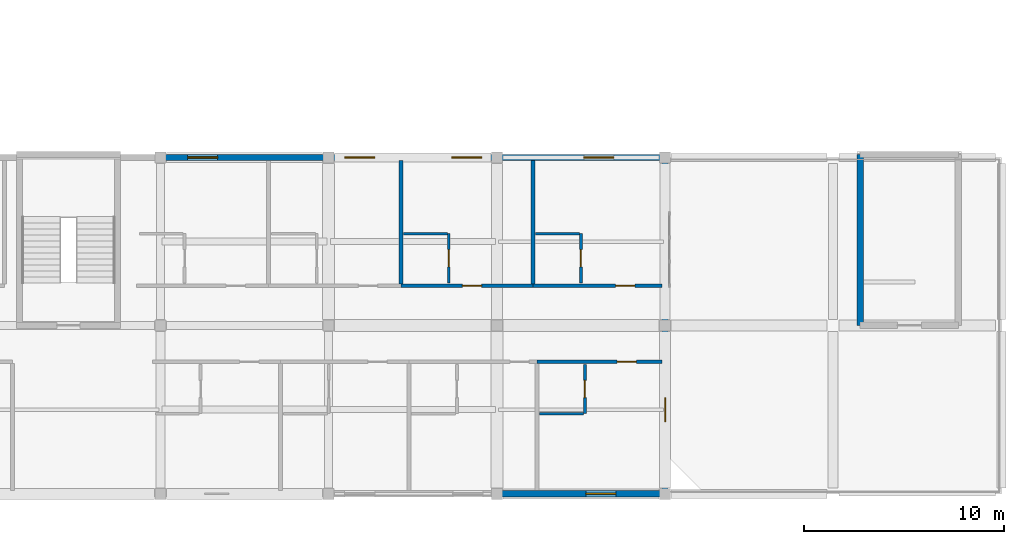
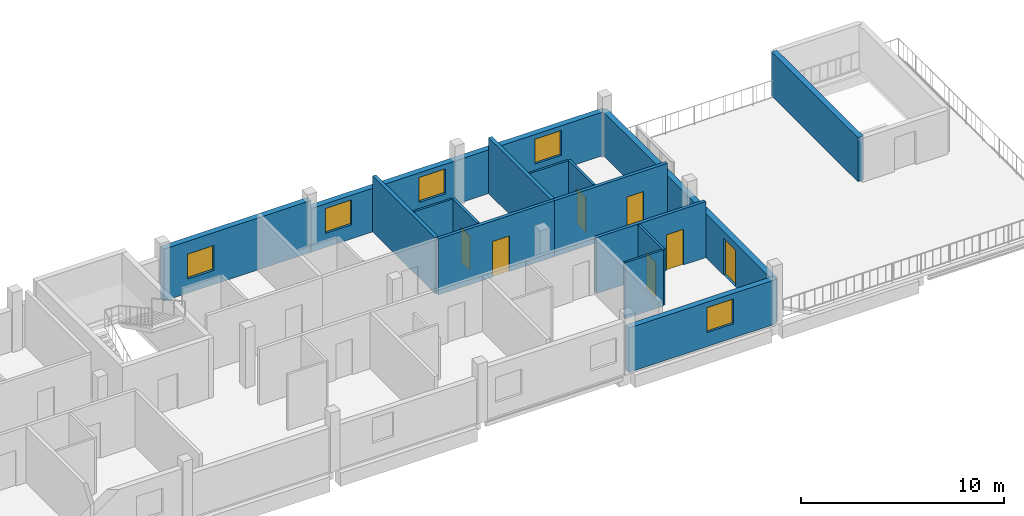
# One storey, part 20 of 26: 16 walls, 7 doors, 5 windows, 12 openings.
"""IFC4 building model written with IfcOpenShell, lengths in metres."""

from ifc_helpers import new_model, si_unit, derived_unit, direction, frame, frame_2d, origin, place, context, subcontext, project, spatial, rectangle, extrude, material, layer, layer_set, type_object, element, fill, save


model = new_model("IFC4")

# Units and contexts
model_context = context("Model", 3, precision=1e-05, world=origin(), true_north=direction((0.0, 1.0)))
body_context = subcontext(model_context, "Body", "Model", "MODEL_VIEW")
ifc_project = project(units=[si_unit("LENGTHUNIT", "METRE"), si_unit("AREAUNIT", "SQUARE_METRE"), si_unit("VOLUMEUNIT", "CUBIC_METRE"), si_unit("PLANEANGLEUNIT", "RADIAN"), si_unit("MASSUNIT", "GRAM", prefix="KILO"), derived_unit("THERMALTRANSMITTANCEUNIT", [(si_unit("POWERUNIT", "WATT"), 1), (si_unit("LENGTHUNIT", "METRE"), -2), (si_unit("THERMODYNAMICTEMPERATUREUNIT", "KELVIN"), -1)])], contexts=[model_context])

# Site, building, storey
site_placement = place(None, origin())
site = spatial("IfcSite", under=ifc_project, at=site_placement, CompositionType="ELEMENT")
building_placement = place(site_placement, origin())
building = spatial("IfcBuilding", under=site, at=building_placement, Name="Barrovel Congress Hotel", CompositionType="ELEMENT")
storey_placement = place(building_placement, frame((0.0, 0.0, 32.699951171875)))
storey = spatial("IfcBuildingStorey", under=building, at=storey_placement, Name="L08", CompositionType="ELEMENT", Elevation=32.699951171875)

# Wall, opening, door
ifc_material_1 = material(Name="Fired Clay Brick Masonry", Category="masonry")
ifc_layer_1 = layer(ifc_material_1, 0.320068359375)
ifc_layer_set_1 = layer_set([ifc_layer_1], Name="Fired Clay Brick Masonry")
wall_type_1 = type_object("IfcWallType", Name="EW-BRK320", PredefinedType="STANDARD", material=ifc_layer_set_1)
wall_1_placement = place(storey_placement, frame((134.39990234375, 4.199951171875, 0.0), z_axis=(0.0, 0.0, 1.0), x_axis=(0.0, 1.0, 0.0)))
wall_1 = element("IfcWall", 1, at=wall_1_placement, inside=storey, type_object=wall_type_1, Name="EW:L08:HS-E", PredefinedType="STANDARD", context=body_context, shape_type="SweptSolid", body=[
    extrude(rectangle(XDim=16.800048828125, YDim=0.320068359375, at=frame_2d((8.39990234375, 0.0))), origin(), (0.0, 0.0, 1.0), 2.630126953125),
])
opening_1_placement = place(wall_1_placement, frame((4.800048828125, 0.0, 0.0), z_axis=(0.0, 0.0, 1.0), x_axis=(-1.0, 0.0, 0.0)))
opening_1 = element("IfcOpeningElement", 2, at=opening_1_placement, cuts=wall_1, Name="Opening ED-04", PredefinedType="OPENING", context=body_context, shape_type="SweptSolid", body=[
    extrude(rectangle(XDim=1.199951171875, YDim=2.199951171875, at=frame_2d((0.60009765625, 1.10009765625))), frame((0.0, 0.169921875, 0.0), z_axis=(0.0, -1.0, 0.0), x_axis=(1.0, 0.0, 0.0)), (0.0, 0.0, 1.0), 0.340087890625),
])
ifc_material_2 = material(Name="Anodised Aluminium Glazed Door", Category="aluminium")
door_type_1 = type_object("IfcDoorType", Name="EDR-ED-04", OperationType="NOTDEFINED", PredefinedType="DOOR", material=ifc_material_2)
door_1_placement = place(opening_1_placement, origin())
door_1 = element("IfcDoor", 3, at=door_1_placement, inside=storey, type_object=door_type_1, Name="L08 East Setback Terrace Door", OperationType="SINGLE_SWING_LEFT", OverallHeight=2.199951171875, OverallWidth=1.199951171875, PredefinedType="DOOR", context=body_context, shape_type="SweptSolid", body=[
    extrude(rectangle(XDim=1.199951171875, YDim=2.199951171875, at=frame_2d((0.60009765625, 1.10009765625))), frame((0.0, 0.02490234375, 0.0), z_axis=(0.0, -1.0, 0.0), x_axis=(1.0, 0.0, 0.0)), (0.0, 0.0, 1.0), 0.050048828125),
])
fill(opening_1, door_1)

# Wall, openings, windows
wall_2_placement = place(storey_placement, frame((134.39990234375, 21.0, 0.0), z_axis=(0.0, 0.0, 1.0), x_axis=(-1.0, 0.0, 0.0)))
wall_2 = element("IfcWall", 4, at=wall_2_placement, inside=storey, type_object=wall_type_1, Name="EW:L08:HS-NE-1", PredefinedType="STANDARD", context=body_context, shape_type="SweptSolid", body=[
    extrude(rectangle(XDim=16.7998046875, YDim=0.320068359375, at=frame_2d((8.39990234375, 0.0))), origin(), (0.0, 0.0, 1.0), 2.630126953125),
])
opening_2_placement = place(wall_2_placement, frame((14.5, 0.0, 0.85009765625)))
opening_2 = element("IfcOpeningElement", 5, at=opening_2_placement, cuts=wall_2, Name="Opening WN-07", PredefinedType="OPENING", context=body_context, shape_type="SweptSolid", body=[
    extrude(rectangle(XDim=1.5, YDim=1.5, at=frame_2d((0.75, 0.75))), frame((0.0, 0.169921875, 0.0), z_axis=(0.0, -1.0, 0.0), x_axis=(1.0, 0.0, 0.0)), (0.0, 0.0, 1.0), 0.340087890625),
])
opening_3_placement = place(wall_2_placement, frame((9.14990234375, 0.0, 0.85009765625)))
opening_3 = element("IfcOpeningElement", 6, at=opening_3_placement, cuts=wall_2, Name="Opening WN-07", PredefinedType="OPENING", context=body_context, shape_type="SweptSolid", body=[
    extrude(rectangle(XDim=1.5, YDim=1.5, at=frame_2d((0.75, 0.75))), frame((0.0, 0.169921875, 0.0), z_axis=(0.0, -1.0, 0.0), x_axis=(1.0, 0.0, 0.0)), (0.0, 0.0, 1.0), 0.340087890625),
])
opening_4_placement = place(wall_2_placement, frame((2.550048828125, 0.0, 0.85009765625)))
opening_4 = element("IfcOpeningElement", 7, at=opening_4_placement, cuts=wall_2, Name="Opening WN-07", PredefinedType="OPENING", context=body_context, shape_type="SweptSolid", body=[
    extrude(rectangle(XDim=1.5, YDim=1.5, at=frame_2d((0.75, 0.75))), frame((0.0, 0.169921875, 0.0), z_axis=(0.0, -1.0, 0.0), x_axis=(1.0, 0.0, 0.0)), (0.0, 0.0, 1.0), 0.340087890625),
])
ifc_material_3 = material(Name="Double Low-E Insulated Glazing", Category="glass")
window_type = type_object("IfcWindowType", Name="WIN-WN-07", PartitioningType="SINGLE_PANEL", PredefinedType="WINDOW", material=ifc_material_3)
window_1_placement = place(opening_2_placement, origin())
window_1 = element("IfcWindow", 8, at=window_1_placement, inside=storey, type_object=window_type, Name="WIN:L08:U22", OverallHeight=1.5, OverallWidth=1.5, PartitioningType="SINGLE_PANEL", PredefinedType="WINDOW", context=body_context, shape_type="SweptSolid", body=[
    extrude(rectangle(XDim=1.5, YDim=1.5, at=frame_2d((0.75, 0.75))), frame((0.0, 0.030029296875, 0.0), z_axis=(0.0, -1.0, 0.0), x_axis=(1.0, 0.0, 0.0)), (0.0, 0.0, 1.0), 0.06005859375),
])
fill(opening_2, window_1)
window_2_placement = place(opening_3_placement, origin())
window_2 = element("IfcWindow", 9, at=window_2_placement, inside=storey, type_object=window_type, Name="WIN:L08:U23", OverallHeight=1.5, OverallWidth=1.5, PartitioningType="SINGLE_PANEL", PredefinedType="WINDOW", context=body_context, shape_type="SweptSolid", body=[
    extrude(rectangle(XDim=1.5, YDim=1.5, at=frame_2d((0.75, 0.75))), frame((0.0, 0.030029296875, 0.0), z_axis=(0.0, -1.0, 0.0), x_axis=(1.0, 0.0, 0.0)), (0.0, 0.0, 1.0), 0.06005859375),
])
fill(opening_3, window_2)
window_3_placement = place(opening_4_placement, origin())
window_3 = element("IfcWindow", 10, at=window_3_placement, inside=storey, type_object=window_type, Name="WIN:L08:U24", OverallHeight=1.5, OverallWidth=1.5, PartitioningType="SINGLE_PANEL", PredefinedType="WINDOW", context=body_context, shape_type="SweptSolid", body=[
    extrude(rectangle(XDim=1.5, YDim=1.5, at=frame_2d((0.75, 0.75))), frame((0.0, 0.030029296875, 0.0), z_axis=(0.0, -1.0, 0.0), x_axis=(1.0, 0.0, 0.0)), (0.0, 0.0, 1.0), 0.06005859375),
])
fill(opening_4, window_3)

# Wall
wall_3_placement = place(storey_placement, frame((144.14990234375, 21.14990234375, 0.0), z_axis=(0.0, 0.0, 1.0), x_axis=(0.0, -1.0, 0.0)))
element("IfcWall", 11, at=wall_3_placement, inside=storey, type_object=wall_type_1, Name="HHW:XS-04:W", PredefinedType="STANDARD", context=body_context, shape_type="SweptSolid", body=[
    extrude(rectangle(XDim=8.539794921875, YDim=0.320068359375, at=frame_2d((4.27001953125, 0.0))), origin(), (0.0, 0.0, 1.0), 2.650146484375),
])

# Wall, opening, window
wall_4_placement = place(storey_placement, frame((126.0, 4.199951171875, 0.0), z_axis=(0.0, 0.0, 1.0), x_axis=(1.0, 0.0, 0.0)))
wall_4 = element("IfcWall", 12, at=wall_4_placement, inside=storey, type_object=wall_type_1, Name="EW:L08:HS-S:P13", PredefinedType="STANDARD", context=body_context, shape_type="SweptSolid", body=[
    extrude(rectangle(XDim=8.39990234375, YDim=0.320068359375, at=frame_2d((4.199951171875, 0.0))), origin(), (0.0, 0.0, 1.0), 2.679931640625),
])
opening_5_placement = place(wall_4_placement, frame((4.449951171875, 0.0, 0.85009765625)))
opening_5 = element("IfcOpeningElement", 13, at=opening_5_placement, cuts=wall_4, Name="Opening WN-07", PredefinedType="OPENING", context=body_context, shape_type="SweptSolid", body=[
    extrude(rectangle(XDim=1.5, YDim=1.5, at=frame_2d((0.75, 0.75))), frame((0.0, 0.169921875, 0.0), z_axis=(0.0, -1.0, 0.0), x_axis=(1.0, 0.0, 0.0)), (0.0, 0.0, 1.0), 0.340087890625),
])
window_4_placement = place(opening_5_placement, origin())
window_4 = element("IfcWindow", 14, at=window_4_placement, inside=storey, type_object=window_type, Name="WIN:L08:U16", OverallHeight=1.5, OverallWidth=1.5, PartitioningType="SINGLE_PANEL", PredefinedType="WINDOW", context=body_context, shape_type="SweptSolid", body=[
    extrude(rectangle(XDim=1.5, YDim=1.5, at=frame_2d((0.75, 0.75))), frame((0.0, 0.030029296875, 0.0), z_axis=(0.0, -1.0, 0.0), x_axis=(1.0, 0.0, 0.0)), (0.0, 0.0, 1.0), 0.06005859375),
])
fill(opening_5, window_4)

wall_5_placement = place(storey_placement, frame((117.60009765625, 21.0, 0.0), z_axis=(0.0, 0.0, 1.0), x_axis=(-1.0, 0.0, 0.0)))
wall_5 = element("IfcWall", 15, at=wall_5_placement, inside=storey, type_object=wall_type_1, Name="EW:L08:HS-NE-1:P02", PredefinedType="STANDARD", context=body_context, shape_type="SweptSolid", body=[
    extrude(rectangle(XDim=8.400146484375, YDim=0.320068359375, at=frame_2d((4.2001953125, 0.0))), origin(), (0.0, 0.0, 1.0), 3.1259765625),
])
opening_6_placement = place(wall_5_placement, frame((5.550048828125, 0.0, 0.85009765625)))
opening_6 = element("IfcOpeningElement", 16, at=opening_6_placement, cuts=wall_5, Name="Opening WN-07", PredefinedType="OPENING", context=body_context, shape_type="SweptSolid", body=[
    extrude(rectangle(XDim=1.5, YDim=1.5, at=frame_2d((0.75, 0.75))), frame((0.0, 0.169921875, 0.0), z_axis=(0.0, -1.0, 0.0), x_axis=(1.0, 0.0, 0.0)), (0.0, 0.0, 1.0), 0.340087890625),
])
window_5_placement = place(opening_6_placement, origin())
window_5 = element("IfcWindow", 17, at=window_5_placement, inside=storey, type_object=window_type, Name="WIN:L08:U21", OverallHeight=1.5, OverallWidth=1.5, PartitioningType="SINGLE_PANEL", PredefinedType="WINDOW", context=body_context, shape_type="SweptSolid", body=[
    extrude(rectangle(XDim=1.5, YDim=1.5, at=frame_2d((0.75, 0.75))), frame((0.0, 0.030029296875, 0.0), z_axis=(0.0, -1.0, 0.0), x_axis=(1.0, 0.0, 0.0)), (0.0, 0.0, 1.0), 0.06005859375),
])
fill(opening_6, window_5)

# Wall, opening, door
ifc_material_4 = material(Name="Gypsum Acoustic Stud", Category="gypsum")
ifc_layer_2 = layer(ifc_material_4, 0.179931640625)
ifc_layer_set_2 = layer_set([ifc_layer_2], Name="Gypsum Acoustic Stud")
wall_type_2 = type_object("IfcWallType", Name="PW-ACU-180", PredefinedType="PARTITIONING", material=ifc_layer_set_2)
wall_6_placement = place(storey_placement, frame((128.0, 10.800048828125, 0.0), z_axis=(0.0, 0.0, 1.0), x_axis=(1.0, 0.0, 0.0)))
wall_6 = element("IfcWall", 18, at=wall_6_placement, inside=storey, type_object=wall_type_2, Name="PW:L08:U16:COR", PredefinedType="PARTITIONING", context=body_context, shape_type="SweptSolid", body=[
    extrude(rectangle(XDim=6.239990234375, YDim=0.179931640625, at=frame_2d((3.1201171875, 0.0))), origin(), (0.0, 0.0, 1.0), 3.375),
])
opening_7_placement = place(wall_6_placement, frame((4.0048828125, 0.0, 0.0)))
opening_7 = element("IfcOpeningElement", 19, at=opening_7_placement, cuts=wall_6, Name="Opening ID-HTL", PredefinedType="OPENING", context=body_context, shape_type="SweptSolid", body=[
    extrude(rectangle(XDim=0.9599609375, YDim=2.14990234375, at=frame_2d((0.47998046875, 1.074951171875))), frame((0.0, 0.10009765625, 0.0), z_axis=(0.0, -1.0, 0.0), x_axis=(1.0, 0.0, 0.0)), (0.0, 0.0, 1.0), 0.199951171875),
])
ifc_material_5 = material(Name="Solid Oak Acoustic Timber Door", Category="wood")
door_type_2 = type_object("IfcDoorType", Name="IDR-ID-HTL", OperationType="NOTDEFINED", PredefinedType="DOOR", material=ifc_material_5)
door_2_placement = place(opening_7_placement, origin())
door_2 = element("IfcDoor", 20, at=door_2_placement, inside=storey, type_object=door_type_2, Name="DR:L08:U16:ENT", OperationType="SINGLE_SWING_RIGHT", OverallHeight=2.14990234375, OverallWidth=0.9599609375, PredefinedType="DOOR", context=body_context, shape_type="SweptSolid", body=[
    extrude(rectangle(XDim=0.9599609375, YDim=2.14990234375, at=frame_2d((0.47998046875, 1.074951171875))), frame((0.0, 0.02490234375, 0.0), z_axis=(0.0, -1.0, 0.0), x_axis=(1.0, 0.0, 0.0)), (0.0, 0.0, 1.0), 0.050048828125),
])
fill(opening_7, door_2)

wall_7_placement = place(storey_placement, frame((121.199951171875, 14.60009765625, 0.0), z_axis=(0.0, 0.0, 1.0), x_axis=(1.0, 0.0, 0.0)))
wall_7 = element("IfcWall", 21, at=wall_7_placement, inside=storey, type_object=wall_type_2, Name="PW:L08:U23:COR", PredefinedType="PARTITIONING", context=body_context, shape_type="SweptSolid", body=[
    extrude(rectangle(XDim=6.60009765625, YDim=0.179931640625, at=frame_2d((3.300048828125, 0.0))), origin(), (0.0, 0.0, 1.0), 3.375),
])
opening_8_placement = place(wall_7_placement, frame((3.0791015625, 0.0, 0.0)))
opening_8 = element("IfcOpeningElement", 22, at=opening_8_placement, cuts=wall_7, Name="Opening ID-HTL", PredefinedType="OPENING", context=body_context, shape_type="SweptSolid", body=[
    extrude(rectangle(XDim=0.9599609375, YDim=2.14990234375, at=frame_2d((0.47998046875, 1.074951171875))), frame((0.0, 0.10009765625, 0.0), z_axis=(0.0, -1.0, 0.0), x_axis=(1.0, 0.0, 0.0)), (0.0, 0.0, 1.0), 0.199951171875),
])
door_3_placement = place(opening_8_placement, origin())
door_3 = element("IfcDoor", 23, at=door_3_placement, inside=storey, type_object=door_type_2, Name="DR:L08:U23:ENT", OperationType="SINGLE_SWING_RIGHT", OverallHeight=2.14990234375, OverallWidth=0.9599609375, PredefinedType="DOOR", context=body_context, shape_type="SweptSolid", body=[
    extrude(rectangle(XDim=0.9599609375, YDim=2.14990234375, at=frame_2d((0.47998046875, 1.074951171875))), frame((0.0, 0.02490234375, 0.0), z_axis=(0.0, -1.0, 0.0), x_axis=(1.0, 0.0, 0.0)), (0.0, 0.0, 1.0), 0.050048828125),
])
fill(opening_8, door_3)

wall_8_placement = place(storey_placement, frame((127.800048828125, 14.60009765625, 0.0), z_axis=(0.0, 0.0, 1.0), x_axis=(1.0, 0.0, 0.0)))
wall_8 = element("IfcWall", 24, at=wall_8_placement, inside=storey, type_object=wall_type_2, Name="PW:L08:U24:COR", PredefinedType="PARTITIONING", context=body_context, shape_type="SweptSolid", body=[
    extrude(rectangle(XDim=6.43994140625, YDim=0.179931640625, at=frame_2d((3.219970703125, 0.0))), origin(), (0.0, 0.0, 1.0), 3.375),
])
opening_9_placement = place(wall_8_placement, frame((4.12890625, 0.0, 0.0)))
opening_9 = element("IfcOpeningElement", 25, at=opening_9_placement, cuts=wall_8, Name="Opening ID-HTL", PredefinedType="OPENING", context=body_context, shape_type="SweptSolid", body=[
    extrude(rectangle(XDim=0.9599609375, YDim=2.14990234375, at=frame_2d((0.47998046875, 1.074951171875))), frame((0.0, 0.10009765625, 0.0), z_axis=(0.0, -1.0, 0.0), x_axis=(1.0, 0.0, 0.0)), (0.0, 0.0, 1.0), 0.199951171875),
])
door_4_placement = place(opening_9_placement, origin())
door_4 = element("IfcDoor", 26, at=door_4_placement, inside=storey, type_object=door_type_2, Name="DR:L08:U24:ENT", OperationType="SINGLE_SWING_RIGHT", OverallHeight=2.14990234375, OverallWidth=0.9599609375, PredefinedType="DOOR", context=body_context, shape_type="SweptSolid", body=[
    extrude(rectangle(XDim=0.9599609375, YDim=2.14990234375, at=frame_2d((0.47998046875, 1.074951171875))), frame((0.0, 0.02490234375, 0.0), z_axis=(0.0, -1.0, 0.0), x_axis=(1.0, 0.0, 0.0)), (0.0, 0.0, 1.0), 0.050048828125),
])
fill(opening_9, door_4)

# Walls
ifc_layer_3 = layer(ifc_material_4, 0.1201171875)
ifc_layer_set_3 = layer_set([ifc_layer_3], Name="Gypsum Acoustic Stud")
wall_type_3 = type_object("IfcWallType", Name="PW-INT-120", PredefinedType="PARTITIONING", material=ifc_layer_set_3)
wall_9_placement = place(storey_placement, frame((128.139892578125, 8.199951171875, 0.0), z_axis=(0.0, 0.0, 1.0), x_axis=(1.0, 0.0, 0.0)))
element("IfcWall", 27, at=wall_9_placement, inside=storey, type_object=wall_type_3, Name="PW:L08:U16:B2", PredefinedType="PARTITIONING", context=body_context, shape_type="SweptSolid", body=[
    extrude(rectangle(XDim=2.190185546875, YDim=0.1201171875, at=frame_2d((1.09521484375, 0.0))), origin(), (0.0, 0.0, 1.0), 3.375),
])
for number, where, z_axis, x_axis, name in (
    (28, (121.340087890625, 17.199951171875, 0.0), (0.0, 0.0, 1.0), (1.0, 0.0, 0.0), "PW:L08:U23:B2"),
    (29, (127.93994140625, 17.199951171875, 0.0), (0.0, 0.0, 1.0), (1.0, 0.0, 0.0), "PW:L08:U24:B2"),
):
    element("IfcWall", number, at=place(storey_placement, frame(where, z_axis=z_axis, x_axis=x_axis)), inside=storey, type_object=wall_type_3, Name=name, PredefinedType="PARTITIONING", context=body_context, shape_type="SweptSolid", body=[
        extrude(rectangle(XDim=2.18994140625, YDim=0.1201171875, at=frame_2d((1.094970703125, 0.0))), origin(), (0.0, 0.0, 1.0), 3.375),
    ])
ifc_layer_4 = layer(ifc_material_1, 0.199951171875)
ifc_layer_set_4 = layer_set([ifc_layer_4], Name="Fired Clay Brick Masonry")
wall_type_4 = type_object("IfcWallType", Name="PW-MAS-200", PredefinedType="PARTITIONING", material=ifc_layer_set_4)
for number, where, z_axis, x_axis, name in (
    (30, (121.199951171875, 14.68994140625, 0.0), (0.0, 0.0, 1.0), (0.0, 1.0, 0.0), "PW:L08:U22:DEM"),
    (31, (127.800048828125, 14.68994140625, 0.0), (0.0, 0.0, 1.0), (0.0, 1.0, 0.0), "PW:L08:U23:DEM"),
):
    element("IfcWall", number, at=place(storey_placement, frame(where, z_axis=z_axis, x_axis=x_axis)), inside=storey, type_object=wall_type_4, Name=name, PredefinedType="PARTITIONING", context=body_context, shape_type="SweptSolid", body=[
        extrude(rectangle(XDim=6.150146484375, YDim=0.199951171875, at=frame_2d((3.0751953125, 0.0))), origin(), (0.0, 0.0, 1.0), 3.375),
    ])

# Wall, opening, door
ifc_material_6 = material(Name="Gypsum Moisture Board", Category="gypsum")
ifc_layer_5 = layer(ifc_material_6, 0.139892578125)
ifc_layer_set_5 = layer_set([ifc_layer_5], Name="Gypsum Moisture Board")
wall_type_5 = type_object("IfcWallType", Name="PW-WET-140", PredefinedType="PARTITIONING", material=ifc_layer_set_5)
wall_10_placement = place(storey_placement, frame((130.39990234375, 8.199951171875, 0.0), z_axis=(0.0, 0.0, 1.0), x_axis=(0.0, 1.0, 0.0)))
wall_10 = element("IfcWall", 32, at=wall_10_placement, inside=storey, type_object=wall_type_5, Name="PW:L08:U16:B1", PredefinedType="PARTITIONING", context=body_context, shape_type="SweptSolid", body=[
    extrude(rectangle(XDim=2.4599609375, YDim=0.139892578125, at=frame_2d((1.22998046875, 0.0))), origin(), (0.0, 0.0, 1.0), 3.375),
])
opening_10_placement = place(wall_10_placement, frame((0.800048828125, 0.0, 0.0)))
opening_10 = element("IfcOpeningElement", 33, at=opening_10_placement, cuts=wall_10, Name="Opening ID-ENS", PredefinedType="OPENING", context=body_context, shape_type="SweptSolid", body=[
    extrude(rectangle(XDim=0.860107421875, YDim=2.10009765625, at=frame_2d((0.43017578125, 1.050048828125))), frame((0.0, 0.080078125, 0.0), z_axis=(0.0, -1.0, 0.0), x_axis=(1.0, 0.0, 0.0)), (0.0, 0.0, 1.0), 0.159912109375),
])
ifc_material_7 = material(Name="Lacquered Timber Moisture Door", Category="wood")
door_type_3 = type_object("IfcDoorType", Name="IDR-ID-ENS", OperationType="NOTDEFINED", PredefinedType="DOOR", material=ifc_material_7)
door_5_placement = place(opening_10_placement, origin())
door_5 = element("IfcDoor", 34, at=door_5_placement, inside=storey, type_object=door_type_3, Name="DR:L08:U16:ENS", OperationType="SINGLE_SWING_LEFT", OverallHeight=2.10009765625, OverallWidth=0.860107421875, PredefinedType="DOOR", context=body_context, shape_type="SweptSolid", body=[
    extrude(rectangle(XDim=0.860107421875, YDim=2.10009765625, at=frame_2d((0.43017578125, 1.050048828125))), frame((0.0, 0.02490234375, 0.0), z_axis=(0.0, -1.0, 0.0), x_axis=(1.0, 0.0, 0.0)), (0.0, 0.0, 1.0), 0.050048828125),
])
fill(opening_10, door_5)

wall_11_placement = place(storey_placement, frame((123.60009765625, 14.739990234375, 0.0), z_axis=(0.0, 0.0, 1.0), x_axis=(0.0, 1.0, 0.0)))
wall_11 = element("IfcWall", 35, at=wall_11_placement, inside=storey, type_object=wall_type_5, Name="PW:L08:U23:B1", PredefinedType="PARTITIONING", context=body_context, shape_type="SweptSolid", body=[
    extrude(rectangle(XDim=2.4599609375, YDim=0.139892578125, at=frame_2d((1.22998046875, 0.0))), origin(), (0.0, 0.0, 1.0), 3.375),
])
opening_11_placement = place(wall_11_placement, frame((0.800048828125, 0.0, 0.0)))
opening_11 = element("IfcOpeningElement", 36, at=opening_11_placement, cuts=wall_11, Name="Opening ID-ENS", PredefinedType="OPENING", context=body_context, shape_type="SweptSolid", body=[
    extrude(rectangle(XDim=0.860107421875, YDim=2.10009765625, at=frame_2d((0.43017578125, 1.050048828125))), frame((0.0, 0.080078125, 0.0), z_axis=(0.0, -1.0, 0.0), x_axis=(1.0, 0.0, 0.0)), (0.0, 0.0, 1.0), 0.159912109375),
])
door_6_placement = place(opening_11_placement, origin())
door_6 = element("IfcDoor", 37, at=door_6_placement, inside=storey, type_object=door_type_3, Name="DR:L08:U23:ENS", OperationType="SINGLE_SWING_LEFT", OverallHeight=2.10009765625, OverallWidth=0.860107421875, PredefinedType="DOOR", context=body_context, shape_type="SweptSolid", body=[
    extrude(rectangle(XDim=0.860107421875, YDim=2.10009765625, at=frame_2d((0.43017578125, 1.050048828125))), frame((0.0, 0.02490234375, 0.0), z_axis=(0.0, -1.0, 0.0), x_axis=(1.0, 0.0, 0.0)), (0.0, 0.0, 1.0), 0.050048828125),
])
fill(opening_11, door_6)

wall_12_placement = place(storey_placement, frame((130.199951171875, 14.739990234375, 0.0), z_axis=(0.0, 0.0, 1.0), x_axis=(0.0, 1.0, 0.0)))
wall_12 = element("IfcWall", 38, at=wall_12_placement, inside=storey, type_object=wall_type_5, Name="PW:L08:U24:B1", PredefinedType="PARTITIONING", context=body_context, shape_type="SweptSolid", body=[
    extrude(rectangle(XDim=2.4599609375, YDim=0.139892578125, at=frame_2d((1.22998046875, 0.0))), origin(), (0.0, 0.0, 1.0), 3.375),
])
opening_12_placement = place(wall_12_placement, frame((0.800048828125, 0.0, 0.0)))
opening_12 = element("IfcOpeningElement", 39, at=opening_12_placement, cuts=wall_12, Name="Opening ID-ENS", PredefinedType="OPENING", context=body_context, shape_type="SweptSolid", body=[
    extrude(rectangle(XDim=0.860107421875, YDim=2.10009765625, at=frame_2d((0.43017578125, 1.050048828125))), frame((0.0, 0.080078125, 0.0), z_axis=(0.0, -1.0, 0.0), x_axis=(1.0, 0.0, 0.0)), (0.0, 0.0, 1.0), 0.159912109375),
])
door_7_placement = place(opening_12_placement, origin())
door_7 = element("IfcDoor", 40, at=door_7_placement, inside=storey, type_object=door_type_3, Name="DR:L08:U24:ENS", OperationType="SINGLE_SWING_LEFT", OverallHeight=2.10009765625, OverallWidth=0.860107421875, PredefinedType="DOOR", context=body_context, shape_type="SweptSolid", body=[
    extrude(rectangle(XDim=0.860107421875, YDim=2.10009765625, at=frame_2d((0.43017578125, 1.050048828125))), frame((0.0, 0.02490234375, 0.0), z_axis=(0.0, -1.0, 0.0), x_axis=(1.0, 0.0, 0.0)), (0.0, 0.0, 1.0), 0.050048828125),
])
fill(opening_12, door_7)

save(model, "model.ifc")
